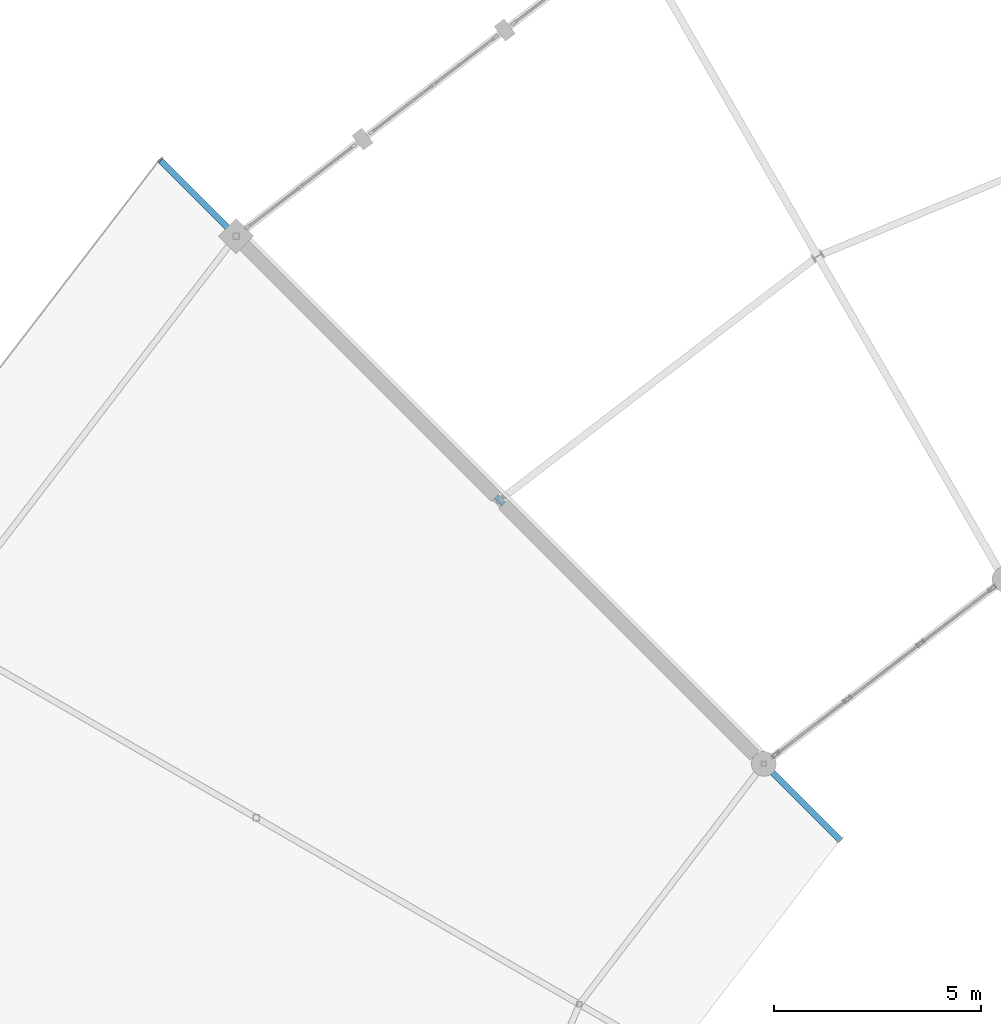
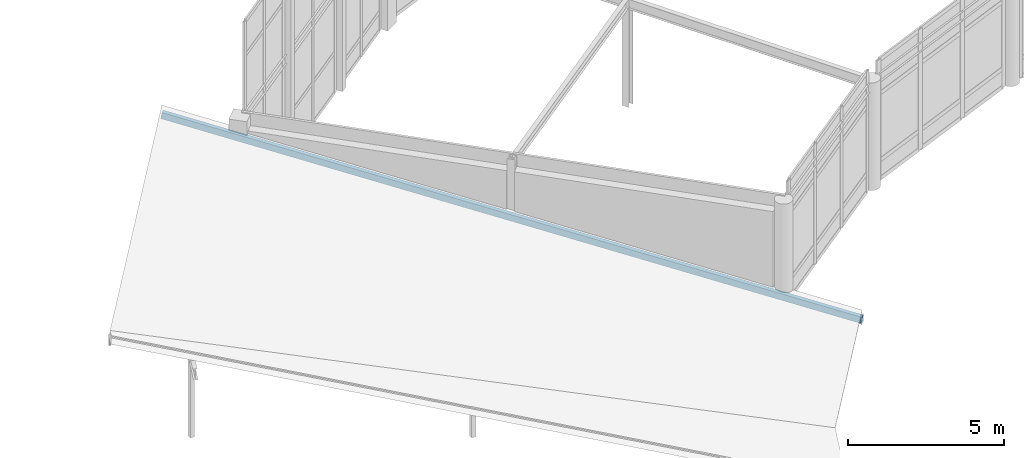
# One storey, part 42 of 93: 1 member.
"""IFC4 building model written with IfcOpenShell, lengths in metres."""

from ifc_helpers import new_model, si_unit, direction, frame, origin, origin_2d, place, context, subcontext, project, spatial, hollow_rectangle, extrude, material, material_profile, profile_set, type_object, element, save


model = new_model("IFC4")

# Units and contexts
model_context = context("Model", 3, precision=1e-05, world=origin(), true_north=direction((0.0, 1.0)))
body_context = subcontext(model_context, "Body", "Model", "MODEL_VIEW")
ifc_project = project(units=[si_unit("LENGTHUNIT", "METRE"), si_unit("AREAUNIT", "SQUARE_METRE"), si_unit("VOLUMEUNIT", "CUBIC_METRE"), si_unit("PLANEANGLEUNIT", "RADIAN"), si_unit("MASSUNIT", "GRAM", prefix="KILO")], contexts=[model_context])

# Site, building, storey
site_placement = place(None, origin())
site = spatial("IfcSite", under=ifc_project, at=site_placement, CompositionType="ELEMENT")
building_placement = place(site_placement, origin())
building = spatial("IfcBuilding", under=site, at=building_placement, Name="Vondelvale Polytechnic", CompositionType="ELEMENT")
storey_placement = place(building_placement, frame((0.0, 0.0, 18.0)))
storey = spatial("IfcBuildingStorey", under=building, at=storey_placement, Name="L04", CompositionType="ELEMENT", Elevation=18.0)

# Member
ifc_material = material(Name="Steel C350L0 (fy = 350 MPa)", Category="steel")
ifc_material_profile = material_profile(ifc_material, hollow_rectangle(XDim=0.14990234375, YDim=0.25, WallThickness=0.006103515625, at=origin_2d()), Name="250x150x6.0RHS")
ifc_profile_set = profile_set([ifc_material_profile], Name="Steel C350L0 (fy = 350 MPa)")
member_type = type_object("IfcMemberType", Name="RAFTER RHS250", PredefinedType="RAFTER", material=ifc_profile_set)
member_placement = place(storey_placement, frame((67.634521484375, 106.365478515625, 3.765625), z_axis=(0.697809376678, -0.697809376678, -0.161629662008), x_axis=(0.707106781187, 0.707106781187, 0.0)))
element("IfcMember", 1, at=member_placement, inside=storey, type_object=member_type, Name="Ring inward-sloping rafter 09", PredefinedType="RAFTER", context=body_context, shape_type="SweptSolid", body=[
    extrude(hollow_rectangle(XDim=0.14990234375, YDim=0.25, WallThickness=0.006103515625, at=origin_2d()), origin(), (0.0, 0.0, 1.0), 23.50927734375),
])

save(model, "model.ifc")
